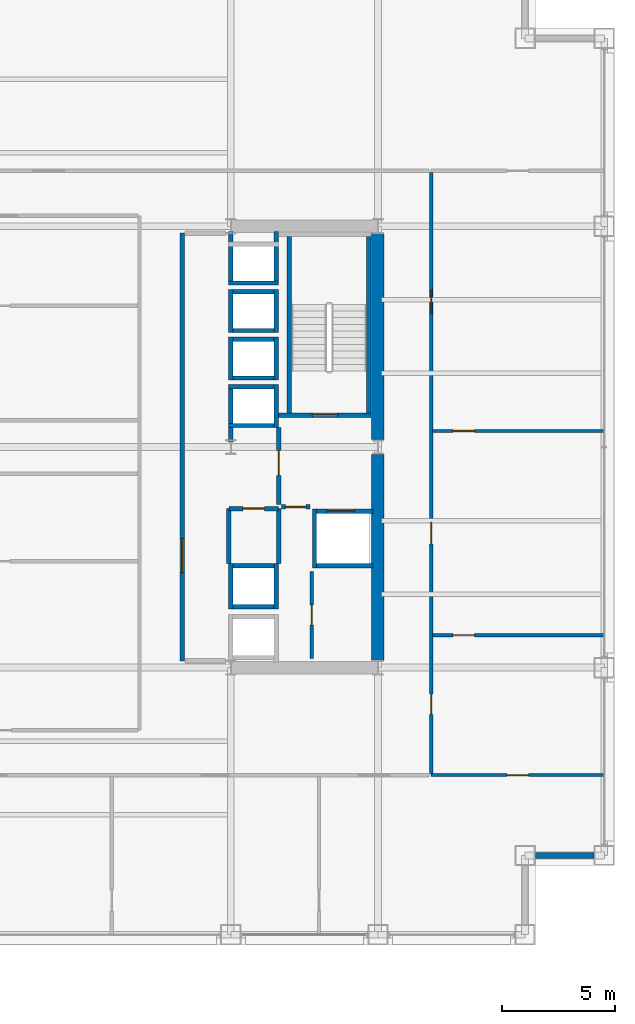
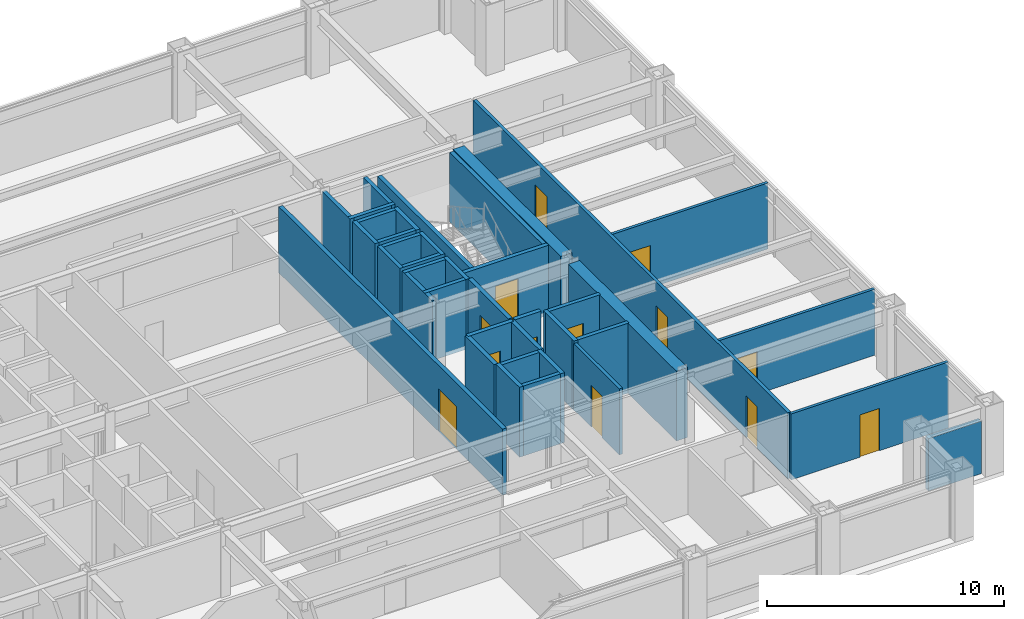
# One storey, part 26 of 29: 39 walls, 13 doors, 13 openings.
"""IFC4 building model written with IfcOpenShell, lengths in metres."""

from ifc_helpers import new_model, si_unit, direction, frame, frame_2d, origin, place, context, subcontext, project, spatial, rectangle, extrude, material, layer, layer_set, type_object, element, fill, save


model = new_model("IFC4")

# Units and contexts
model_context = context("Model", 3, precision=1e-05, world=origin(), true_north=direction((0.0, 1.0)))
body_context = subcontext(model_context, "Body", "Model", "MODEL_VIEW")
ifc_project = project(units=[si_unit("LENGTHUNIT", "METRE"), si_unit("AREAUNIT", "SQUARE_METRE"), si_unit("VOLUMEUNIT", "CUBIC_METRE"), si_unit("PLANEANGLEUNIT", "RADIAN"), si_unit("MASSUNIT", "GRAM", prefix="KILO")], contexts=[model_context])

# Site, building, storey
site_placement = place(None, origin())
site = spatial("IfcSite", under=ifc_project, at=site_placement, CompositionType="ELEMENT")
building_placement = place(site_placement, origin())
building = spatial("IfcBuilding", under=site, at=building_placement, Name="Brelmoor Portico Tower", CompositionType="ELEMENT")
storey_placement = place(building_placement, frame((0.0, 0.0, 60.0)))
storey = spatial("IfcBuildingStorey", under=building, at=storey_placement, Name="L15", CompositionType="ELEMENT", Elevation=60.0)

# Walls
ifc_material_1 = material(Name="Concrete C60", Category="concrete")
ifc_layer_1 = layer(ifc_material_1, 0.550048828125)
ifc_layer_set_1 = layer_set([ifc_layer_1], Name="Concrete C60")
wall_type_1 = type_object("IfcWallType", Name="WL-CORE-550", PredefinedType="SHEAR", material=ifc_layer_set_1)
for number, where, z_axis, x_axis, name in (
    (1, (14.550048828125, -9.425048828125, -0.199951171875), (0.0, 0.0, 1.0), (0.0, 1.0, 0.0), "L15 EC Outer South Shear Wall"),
    (2, (14.550048828125, 0.324951171875, -0.199951171875), (0.0, 0.0, 1.0), (0.0, 1.0, 0.0), "L15 EC Outer North Shear Wall"),
):
    element("IfcWall", number, at=place(storey_placement, frame(where, z_axis=z_axis, x_axis=x_axis)), inside=storey, type_object=wall_type_1, Name=name, PredefinedType="SHEAR", context=body_context, shape_type="SweptSolid", body=[
        extrude(rectangle(XDim=9.10009765625, YDim=0.550048828125, at=frame_2d((4.550048828125, 0.0))), origin(), (0.0, 0.0, 1.0), 3.599853515625),
    ])
ifc_material_2 = material(Name="Precast Concrete C40 Insulated Facade Wall", Category="concrete")
ifc_layer_2 = layer(ifc_material_2, 0.25)
ifc_layer_set_2 = layer_set([ifc_layer_2], Name="Precast Concrete C40 Insulated Facade Wall")
wall_type_2 = type_object("IfcWallType", Name="WL-EXT-250", PredefinedType="STANDARD", material=ifc_layer_set_2)
wall_1_placement = place(storey_placement, frame((21.510009765625, -18.050048828125, 0.0), z_axis=(0.0, 0.0, 1.0), x_axis=(1.0, 0.0, 0.0)))
element("IfcWall", 3, at=wall_1_placement, inside=storey, type_object=wall_type_2, Name="L15 Corner Notch Facade Wall NSEH1", PredefinedType="STANDARD", context=body_context, shape_type="SweptSolid", body=[
    extrude(rectangle(XDim=2.580078125, YDim=0.25, at=frame_2d((1.2900390625, 0.0))), origin(), (0.0, 0.0, 1.0), 2.699951171875),
])

# Wall, opening, door
ifc_material_3 = material(Name="Insulated Stud Suite Partition", Category="gypsum")
ifc_layer_3 = layer(ifc_material_3, 0.139892578125)
ifc_layer_set_3 = layer_set([ifc_layer_3], Name="Insulated Stud Suite Partition")
wall_type_3 = type_object("IfcWallType", Name="WL-PART-140", PredefinedType="PARTITIONING", material=ifc_layer_set_3)
wall_2_placement = place(storey_placement, frame((16.89990234375, -14.5, 0.0), z_axis=(0.0, 0.0, 1.0), x_axis=(1.0, 0.0, 0.0)))
wall_2 = element("IfcWall", 4, at=wall_2_placement, inside=storey, type_object=wall_type_3, Name="L15 South Outer Closure ER", PredefinedType="PARTITIONING", context=body_context, shape_type="SweptSolid", body=[
    extrude(rectangle(XDim=7.66015625, YDim=0.139892578125, at=frame_2d((3.830078125, 0.0))), origin(), (0.0, 0.0, 1.0), 3.39990234375),
])
opening_1_placement = place(wall_2_placement, frame((3.35009765625, 0.0, 0.0)))
opening_1 = element("IfcOpeningElement", 5, at=opening_1_placement, cuts=wall_2, Name="Opening D-IN2", PredefinedType="OPENING", context=body_context, shape_type="SweptSolid", body=[
    extrude(rectangle(XDim=0.9599609375, YDim=2.179931640625, at=frame_2d((0.47998046875, 1.08984375))), frame((0.0, 0.079833984375, 0.0), z_axis=(0.0, -1.0, 0.0), x_axis=(1.0, 0.0, 0.0)), (0.0, 0.0, 1.0), 0.159912109375),
])
ifc_material_4 = material(Name="Lacquered Timber Suite Door", Category="wood")
door_type_1 = type_object("IfcDoorType", Name="DR-INT-950", OperationType="NOTDEFINED", PredefinedType="DOOR", material=ifc_material_4)
door_1_placement = place(opening_1_placement, origin())
door_1 = element("IfcDoor", 6, at=door_1_placement, inside=storey, type_object=door_type_1, Name="D-0689 L15 ER South Corner Suite Door", OperationType="SINGLE_SWING_RIGHT", OverallHeight=2.179931640625, OverallWidth=0.9599609375, PredefinedType="DOOR", context=body_context, shape_type="SweptSolid", body=[
    extrude(rectangle(XDim=0.9599609375, YDim=2.179931640625, at=frame_2d((0.47998046875, 1.08984375))), frame((0.0, 0.02490234375, 0.0), z_axis=(0.0, -1.0, 0.0), x_axis=(1.0, 0.0, 0.0)), (0.0, 0.0, 1.0), 0.050048828125),
])
fill(opening_1, door_1)

wall_3_placement = place(storey_placement, frame((16.9599609375, -8.31591796875, 0.0), z_axis=(0.0, 0.0, 1.0), x_axis=(1.0, 0.0, 0.0)))
wall_3 = element("IfcWall", 7, at=wall_3_placement, inside=storey, type_object=wall_type_3, Name="L15 E Wing Partition 1", PredefinedType="PARTITIONING", context=body_context, shape_type="SweptSolid", body=[
    extrude(rectangle(XDim=7.60009765625, YDim=0.139892578125, at=frame_2d((3.800048828125, 0.0))), origin(), (0.0, 0.0, 1.0), 3.39990234375),
])
opening_2_placement = place(wall_3_placement, frame((0.89990234375, 0.0, 0.0)))
opening_2 = element("IfcOpeningElement", 8, at=opening_2_placement, cuts=wall_3, Name="Opening D-IN2", PredefinedType="OPENING", context=body_context, shape_type="SweptSolid", body=[
    extrude(rectangle(XDim=0.9599609375, YDim=2.179931640625, at=frame_2d((0.47998046875, 1.08984375))), frame((0.0, 0.079833984375, 0.0), z_axis=(0.0, -1.0, 0.0), x_axis=(1.0, 0.0, 0.0)), (0.0, 0.0, 1.0), 0.159912109375),
])
door_2_placement = place(opening_2_placement, origin())
door_2 = element("IfcDoor", 9, at=door_2_placement, inside=storey, type_object=door_type_1, Name="D-0696 L15 E Wing Suite Connecting Door 1", OperationType="SINGLE_SWING_RIGHT", OverallHeight=2.179931640625, OverallWidth=0.9599609375, PredefinedType="DOOR", context=body_context, shape_type="SweptSolid", body=[
    extrude(rectangle(XDim=0.9599609375, YDim=2.179931640625, at=frame_2d((0.47998046875, 1.08984375))), frame((0.0, 0.02490234375, 0.0), z_axis=(0.0, -1.0, 0.0), x_axis=(1.0, 0.0, 0.0)), (0.0, 0.0, 1.0), 0.050048828125),
])
fill(opening_2, door_2)

wall_4_placement = place(storey_placement, frame((16.9599609375, 0.707763671875, 0.0), z_axis=(0.0, 0.0, 1.0), x_axis=(1.0, 0.0, 0.0)))
wall_4 = element("IfcWall", 10, at=wall_4_placement, inside=storey, type_object=wall_type_3, Name="L15 E Wing Partition 2", PredefinedType="PARTITIONING", context=body_context, shape_type="SweptSolid", body=[
    extrude(rectangle(XDim=7.60009765625, YDim=0.139892578125, at=frame_2d((3.800048828125, 0.0))), origin(), (0.0, 0.0, 1.0), 3.39990234375),
])
opening_3_placement = place(wall_4_placement, frame((0.89990234375, 0.0, 0.0)))
opening_3 = element("IfcOpeningElement", 11, at=opening_3_placement, cuts=wall_4, Name="Opening D-IN2", PredefinedType="OPENING", context=body_context, shape_type="SweptSolid", body=[
    extrude(rectangle(XDim=0.9599609375, YDim=2.179931640625, at=frame_2d((0.47998046875, 1.08984375))), frame((0.0, 0.079833984375, 0.0), z_axis=(0.0, -1.0, 0.0), x_axis=(1.0, 0.0, 0.0)), (0.0, 0.0, 1.0), 0.159912109375),
])
door_3_placement = place(opening_3_placement, origin())
door_3 = element("IfcDoor", 12, at=door_3_placement, inside=storey, type_object=door_type_1, Name="D-0697 L15 E Wing Suite Connecting Door 2", OperationType="SINGLE_SWING_LEFT", OverallHeight=2.179931640625, OverallWidth=0.9599609375, PredefinedType="DOOR", context=body_context, shape_type="SweptSolid", body=[
    extrude(rectangle(XDim=0.9599609375, YDim=2.179931640625, at=frame_2d((0.47998046875, 1.08984375))), frame((0.0, 0.02490234375, 0.0), z_axis=(0.0, -1.0, 0.0), x_axis=(1.0, 0.0, 0.0)), (0.0, 0.0, 1.0), 0.050048828125),
])
fill(opening_3, door_3)

ifc_material_5 = material(Name="Twin-Frame Acoustic Partition", Category="gypsum")
ifc_layer_4 = layer(ifc_material_5, 0.159912109375)
ifc_layer_set_4 = layer_set([ifc_layer_4], Name="Twin-Frame Acoustic Partition")
wall_type_4 = type_object("IfcWallType", Name="WL-PART-160", PredefinedType="PARTITIONING", material=ifc_layer_set_4)
wall_5_placement = place(storey_placement, frame((11.6201171875, -9.35009765625, 0.0), z_axis=(0.0, 0.0, 1.0), x_axis=(0.0, 1.0, 0.0)))
wall_5 = element("IfcWall", 13, at=wall_5_placement, inside=storey, type_object=wall_type_4, Name="L15 E Core Service Front Wall", PredefinedType="PARTITIONING", context=body_context, shape_type="SweptSolid", body=[
    extrude(rectangle(XDim=3.85009765625, YDim=0.159912109375, at=frame_2d((1.925048828125, 0.0))), origin(), (0.0, 0.0, 1.0), 3.39990234375),
])
opening_4_placement = place(wall_5_placement, frame((1.47509765625, 0.0, 0.0)))
opening_4 = element("IfcOpeningElement", 14, at=opening_4_placement, cuts=wall_5, Name="Opening D-IN1", PredefinedType="OPENING", context=body_context, shape_type="SweptSolid", body=[
    extrude(rectangle(XDim=0.89990234375, YDim=2.14990234375, at=frame_2d((0.449951171875, 1.074951171875))), frame((0.0, 0.08984375, 0.0), z_axis=(0.0, -1.0, 0.0), x_axis=(1.0, 0.0, 0.0)), (0.0, 0.0, 1.0), 0.179931640625),
])
door_type_2 = type_object("IfcDoorType", Name="DR-INT-900", OperationType="NOTDEFINED", PredefinedType="DOOR", material=ifc_material_4)
door_4_placement = place(opening_4_placement, origin())
door_4 = element("IfcDoor", 15, at=door_4_placement, inside=storey, type_object=door_type_2, Name="D-0667 L15 E Male WC Door", OperationType="SINGLE_SWING_RIGHT", OverallHeight=2.14990234375, OverallWidth=0.89990234375, PredefinedType="DOOR", context=body_context, shape_type="SweptSolid", body=[
    extrude(rectangle(XDim=0.89990234375, YDim=2.14990234375, at=frame_2d((0.449951171875, 1.074951171875))), frame((0.0, 0.02490234375, 0.0), z_axis=(0.0, -1.0, 0.0), x_axis=(1.0, 0.0, 0.0)), (0.0, 0.0, 1.0), 0.050048828125),
])
fill(opening_4, door_4)

# Wall, openings, doors
wall_6_placement = place(storey_placement, frame((16.89990234375, -14.419921875, 0.0), z_axis=(0.0, 0.0, 1.0), x_axis=(0.0, 1.0, 0.0)))
wall_6 = element("IfcWall", 16, at=wall_6_placement, inside=storey, type_object=wall_type_4, Name="L15 E Wing Corridor Wall", PredefinedType="PARTITIONING", context=body_context, shape_type="SweptSolid", body=[
    extrude(rectangle(XDim=26.5400390625, YDim=0.159912109375, at=frame_2d((13.27001953125, 0.0))), origin(), (0.0, 0.0, 1.0), 3.39990234375),
])
opening_5_placement = place(wall_6_placement, frame((2.60205078125, 0.0, 0.0)))
opening_5 = element("IfcOpeningElement", 17, at=opening_5_placement, cuts=wall_6, Name="Opening D-IN1", PredefinedType="OPENING", context=body_context, shape_type="SweptSolid", body=[
    extrude(rectangle(XDim=0.89990234375, YDim=2.14990234375, at=frame_2d((0.449951171875, 1.074951171875))), frame((0.0, 0.08984375, 0.0), z_axis=(0.0, -1.0, 0.0), x_axis=(1.0, 0.0, 0.0)), (0.0, 0.0, 1.0), 0.179931640625),
])
opening_6_placement = place(wall_6_placement, frame((10.135986328125, 0.0, 0.0)))
opening_6 = element("IfcOpeningElement", 18, at=opening_6_placement, cuts=wall_6, Name="Opening D-IN2", PredefinedType="OPENING", context=body_context, shape_type="SweptSolid", body=[
    extrude(rectangle(XDim=0.9599609375, YDim=2.179931640625, at=frame_2d((0.47998046875, 1.08984375))), frame((0.0, 0.08984375, 0.0), z_axis=(0.0, -1.0, 0.0), x_axis=(1.0, 0.0, 0.0)), (0.0, 0.0, 1.0), 0.179931640625),
])
opening_7_placement = place(wall_6_placement, frame((20.323974609375, 0.0, 0.0)))
opening_7 = element("IfcOpeningElement", 19, at=opening_7_placement, cuts=wall_6, Name="Opening D-OF1", PredefinedType="OPENING", context=body_context, shape_type="SweptSolid", body=[
    extrude(rectangle(XDim=1.02001953125, YDim=2.199951171875, at=frame_2d((0.510009765625, 1.10009765625))), frame((0.0, 0.08984375, 0.0), z_axis=(0.0, -1.0, 0.0), x_axis=(1.0, 0.0, 0.0)), (0.0, 0.0, 1.0), 0.179931640625),
])
door_5_placement = place(opening_5_placement, origin())
door_5 = element("IfcDoor", 20, at=door_5_placement, inside=storey, type_object=door_type_2, Name="D-0693 L15 E First-Aid Consultation Room 1 Door", OperationType="SINGLE_SWING_RIGHT", OverallHeight=2.14990234375, OverallWidth=0.89990234375, PredefinedType="DOOR", context=body_context, shape_type="SweptSolid", body=[
    extrude(rectangle(XDim=0.89990234375, YDim=2.14990234375, at=frame_2d((0.449951171875, 1.074951171875))), frame((0.0, 0.02490234375, 0.0), z_axis=(0.0, -1.0, 0.0), x_axis=(1.0, 0.0, 0.0)), (0.0, 0.0, 1.0), 0.050048828125),
])
fill(opening_5, door_5)
door_6_placement = place(opening_6_placement, origin())
door_6 = element("IfcDoor", 21, at=door_6_placement, inside=storey, type_object=door_type_1, Name="D-0694 L15 E Technical Archive Store 2 Door", OperationType="SINGLE_SWING_LEFT", OverallHeight=2.179931640625, OverallWidth=0.9599609375, PredefinedType="DOOR", context=body_context, shape_type="SweptSolid", body=[
    extrude(rectangle(XDim=0.9599609375, YDim=2.179931640625, at=frame_2d((0.47998046875, 1.08984375))), frame((0.0, 0.02490234375, 0.0), z_axis=(0.0, -1.0, 0.0), x_axis=(1.0, 0.0, 0.0)), (0.0, 0.0, 1.0), 0.050048828125),
])
fill(opening_6, door_6)
ifc_material_6 = material(Name="Hardwood Acoustic Veneer Door", Category="wood")
door_type_3 = type_object("IfcDoorType", Name="DR-OFFICE-1000", OperationType="NOTDEFINED", PredefinedType="DOOR", material=ifc_material_6)
door_7_placement = place(opening_7_placement, origin())
door_7 = element("IfcDoor", 22, at=door_7_placement, inside=storey, type_object=door_type_3, Name="D-0695 L15 E Open-Plan Office 3 Door", OperationType="SINGLE_SWING_RIGHT", OverallHeight=2.199951171875, OverallWidth=1.02001953125, PredefinedType="DOOR", context=body_context, shape_type="SweptSolid", body=[
    extrude(rectangle(XDim=1.02001953125, YDim=2.199951171875, at=frame_2d((0.510009765625, 1.10009765625))), frame((0.0, 0.02490234375, 0.0), z_axis=(0.0, -1.0, 0.0), x_axis=(1.0, 0.0, 0.0)), (0.0, 0.0, 1.0), 0.050048828125),
])
fill(opening_7, door_7)

# Wall, opening, door
ifc_material_7 = material(Name="Double-Stud Gypsum Fire Partition", Category="gypsum")
ifc_layer_5 = layer(ifc_material_7, 0.199951171875)
ifc_layer_set_5 = layer_set([ifc_layer_5], Name="Double-Stud Gypsum Fire Partition")
wall_type_5 = type_object("IfcWallType", Name="WL-PART-200", PredefinedType="PARTITIONING", material=ifc_layer_set_5)
wall_7_placement = place(storey_placement, frame((5.89990234375, -9.449951171875, 0.0), z_axis=(0.0, 0.0, 1.0), x_axis=(0.0, 1.0, 0.0)))
wall_7 = element("IfcWall", 23, at=wall_7_placement, inside=storey, type_object=wall_type_5, Name="L15 E Core Lobby Compartment Wall", PredefinedType="PARTITIONING", context=body_context, shape_type="SweptSolid", body=[
    extrude(rectangle(XDim=18.89990234375, YDim=0.199951171875, at=frame_2d((9.449951171875, 0.0))), origin(), (0.0, 0.0, 1.0), 3.39990234375),
])
opening_8_placement = place(wall_7_placement, frame((3.89990234375, 0.0, 0.0)))
opening_8 = element("IfcOpeningElement", 24, at=opening_8_placement, cuts=wall_7, Name="Opening D-LB1", PredefinedType="OPENING", context=body_context, shape_type="SweptSolid", body=[
    extrude(rectangle(XDim=1.5, YDim=2.199951171875, at=frame_2d((0.75, 1.10009765625))), frame((0.0, 0.10986328125, 0.0), z_axis=(0.0, -1.0, 0.0), x_axis=(1.0, 0.0, 0.0)), (0.0, 0.0, 1.0), 0.219970703125),
])
ifc_material_8 = material(Name="Double-Leaf Glazed Steel Fire Door", Category="steel")
door_type_4 = type_object("IfcDoorType", Name="DR-LOBBY-1500", OperationType="NOTDEFINED", PredefinedType="DOOR", material=ifc_material_8)
door_8_placement = place(opening_8_placement, origin())
door_8 = element("IfcDoor", 25, at=door_8_placement, inside=storey, type_object=door_type_4, Name="D-0675 L15 E Lift Lobby Main Door", OperationType="DOUBLE_DOOR_SINGLE_SWING", OverallHeight=2.199951171875, OverallWidth=1.5, PredefinedType="DOOR", context=body_context, shape_type="SweptSolid", body=[
    extrude(rectangle(XDim=1.5, YDim=2.199951171875, at=frame_2d((0.75, 1.10009765625))), frame((0.0, 0.02490234375, 0.0), z_axis=(0.0, -1.0, 0.0), x_axis=(1.0, 0.0, 0.0)), (0.0, 0.0, 1.0), 0.050048828125),
])
fill(opening_8, door_8)

wall_8_placement = place(storey_placement, frame((10.159912109375, -2.550048828125, 0.0), z_axis=(0.0, 0.0, 1.0), x_axis=(0.0, 1.0, 0.0)))
wall_8 = element("IfcWall", 26, at=wall_8_placement, inside=storey, type_object=wall_type_5, Name="L15 E Firefighting Lobby Wall", PredefinedType="PARTITIONING", context=body_context, shape_type="SweptSolid", body=[
    extrude(rectangle(XDim=3.400146484375, YDim=0.199951171875, at=frame_2d((1.7001953125, 0.0))), origin(), (0.0, 0.0, 1.0), 3.39990234375),
])
opening_9_placement = place(wall_8_placement, frame((1.300048828125, 0.0, 0.0)))
opening_9 = element("IfcOpeningElement", 27, at=opening_9_placement, cuts=wall_8, Name="Opening D-FR1", PredefinedType="OPENING", context=body_context, shape_type="SweptSolid", body=[
    extrude(rectangle(XDim=1.10009765625, YDim=2.14990234375, at=frame_2d((0.550048828125, 1.074951171875))), frame((0.0, 0.10986328125, 0.0), z_axis=(0.0, -1.0, 0.0), x_axis=(1.0, 0.0, 0.0)), (0.0, 0.0, 1.0), 0.219970703125),
])
ifc_material_9 = material(Name="Painted Galvanised Steel Fire Door", Category="steel")
door_type_5 = type_object("IfcDoorType", Name="DR-FIRE-1100", OperationType="NOTDEFINED", PredefinedType="DOOR", material=ifc_material_9)
door_9_placement = place(opening_9_placement, origin())
door_9 = element("IfcDoor", 28, at=door_9_placement, inside=storey, type_object=door_type_5, Name="D-0673 L15 E Firefighting Lobby Door", OperationType="SINGLE_SWING_LEFT", OverallHeight=2.14990234375, OverallWidth=1.10009765625, PredefinedType="DOOR", context=body_context, shape_type="SweptSolid", body=[
    extrude(rectangle(XDim=1.10009765625, YDim=2.14990234375, at=frame_2d((0.550048828125, 1.074951171875))), frame((0.0, 0.02490234375, 0.0), z_axis=(0.0, -1.0, 0.0), x_axis=(1.0, 0.0, 0.0)), (0.0, 0.0, 1.0), 0.050048828125),
])
fill(opening_9, door_9)

wall_9_placement = place(storey_placement, frame((10.280029296875, -2.64990234375, 0.0), z_axis=(0.0, 0.0, 1.0), x_axis=(1.0, 0.0, 0.0)))
wall_9 = element("IfcWall", 29, at=wall_9_placement, inside=storey, type_object=wall_type_5, Name="L15 E Firefighting Lobby South Wall", PredefinedType="PARTITIONING", context=body_context, shape_type="SweptSolid", body=[
    extrude(rectangle(XDim=1.27001953125, YDim=0.199951171875, at=frame_2d((0.635009765625, 0.0))), origin(), (0.0, 0.0, 1.0), 3.39990234375),
])
opening_10_placement = place(wall_9_placement, frame((0.18505859375, 0.0, 0.0)))
opening_10 = element("IfcOpeningElement", 30, at=opening_10_placement, cuts=wall_9, Name="Opening D-IN1", PredefinedType="OPENING", context=body_context, shape_type="SweptSolid", body=[
    extrude(rectangle(XDim=0.89990234375, YDim=2.14990234375, at=frame_2d((0.449951171875, 1.074951171875))), frame((0.0, 0.10986328125, 0.0), z_axis=(0.0, -1.0, 0.0), x_axis=(1.0, 0.0, 0.0)), (0.0, 0.0, 1.0), 0.219970703125),
])
door_10_placement = place(opening_10_placement, origin())
door_10 = element("IfcDoor", 31, at=door_10_placement, inside=storey, type_object=door_type_2, Name="D-0668 L15 E Core Service Vestibule Door", OperationType="SINGLE_SWING_RIGHT", OverallHeight=2.14990234375, OverallWidth=0.89990234375, PredefinedType="DOOR", context=body_context, shape_type="SweptSolid", body=[
    extrude(rectangle(XDim=0.89990234375, YDim=2.14990234375, at=frame_2d((0.449951171875, 1.074951171875))), frame((0.0, 0.02490234375, 0.0), z_axis=(0.0, -1.0, 0.0), x_axis=(1.0, 0.0, 0.0)), (0.0, 0.0, 1.0), 0.050048828125),
])
fill(opening_10, door_10)

wall_10_placement = place(storey_placement, frame((7.9599609375, -2.719970703125, 0.0), z_axis=(0.0, 0.0, 1.0), x_axis=(1.0, 0.0, 0.0)))
wall_10 = element("IfcWall", 32, at=wall_10_placement, inside=storey, type_object=wall_type_5, Name="L15 E Electrical Switchgear Closet Wall", PredefinedType="PARTITIONING", context=body_context, shape_type="SweptSolid", body=[
    extrude(rectangle(XDim=2.199951171875, YDim=0.199951171875, at=frame_2d((1.10009765625, 0.0))), origin(), (0.0, 0.0, 1.0), 3.39990234375),
])
opening_11_placement = place(wall_10_placement, frame((0.6201171875, 0.0, 0.0)))
opening_11 = element("IfcOpeningElement", 33, at=opening_11_placement, cuts=wall_10, Name="Opening D-FR4", PredefinedType="OPENING", context=body_context, shape_type="SweptSolid", body=[
    extrude(rectangle(XDim=0.949951171875, YDim=2.10009765625, at=frame_2d((0.47509765625, 1.050048828125))), frame((0.0, 0.10986328125, 0.0), z_axis=(0.0, -1.0, 0.0), x_axis=(1.0, 0.0, 0.0)), (0.0, 0.0, 1.0), 0.219970703125),
])
ifc_material_10 = material(Name="Painted Galvanised Steel Riser Door", Category="steel")
door_type_6 = type_object("IfcDoorType", Name="DR-FIRE-950", OperationType="NOTDEFINED", PredefinedType="DOOR", material=ifc_material_10)
door_11_placement = place(opening_11_placement, origin())
door_11 = element("IfcDoor", 34, at=door_11_placement, inside=storey, type_object=door_type_6, Name="D-0671 L15 E Electrical Switchgear Closet Door", OperationType="SINGLE_SWING_LEFT", OverallHeight=2.10009765625, OverallWidth=0.949951171875, PredefinedType="DOOR", context=body_context, shape_type="SweptSolid", body=[
    extrude(rectangle(XDim=0.949951171875, YDim=2.10009765625, at=frame_2d((0.47509765625, 1.050048828125))), frame((0.0, 0.02490234375, 0.0), z_axis=(0.0, -1.0, 0.0), x_axis=(1.0, 0.0, 0.0)), (0.0, 0.0, 1.0), 0.050048828125),
])
fill(opening_11, door_11)

# Walls
for number, where, z_axis, x_axis, name in (
    (35, (7.9599609375, -5.159912109375, 0.0), (0.0, 0.0, 1.0), (0.0, 1.0, 0.0), "L15 E Electrical Switchgear Closet Inner Wall"),
    (36, (10.159912109375, -5.159912109375, 0.0), (0.0, 0.0, 1.0), (0.0, 1.0, 0.0), "L15 E Electrical Switchgear Closet Outer Wall"),
):
    element("IfcWall", number, at=place(storey_placement, frame(where, z_axis=z_axis, x_axis=x_axis)), inside=storey, type_object=wall_type_5, Name=name, PredefinedType="PARTITIONING", context=body_context, shape_type="SweptSolid", body=[
        extrude(rectangle(XDim=2.43994140625, YDim=0.199951171875, at=frame_2d((1.219970703125, 0.0))), origin(), (0.0, 0.0, 1.0), 3.39990234375),
    ])
ifc_material_11 = material(Name="Precast Concrete C40", Category="concrete")
ifc_layer_6 = layer(ifc_material_11, 0.18994140625)
ifc_layer_set_6 = layer_set([ifc_layer_6], Name="Precast Concrete C40")
wall_type_6 = type_object("IfcWallType", Name="WL-SHAFT-180", PredefinedType="SOLIDWALL", material=ifc_layer_set_6)
wall_11_placement = place(storey_placement, frame((8.044921875, 0.2099609375, -0.199951171875), z_axis=(0.0, 0.0, 1.0), x_axis=(0.0, 1.0, 0.0)))
element("IfcWall", 37, at=wall_11_placement, inside=storey, type_object=wall_type_6, Name="L15 Lift PM1 Hoistway Front Wall", PredefinedType="SOLIDWALL", context=body_context, shape_type="SweptSolid", body=[
    extrude(rectangle(XDim=2.5400390625, YDim=0.18994140625, at=frame_2d((1.27001953125, 0.0))), origin(), (0.0, 0.0, 1.0), 3.599853515625),
])
wall_12_placement = place(storey_placement, frame((10.054931640625, 0.85009765625, -0.199951171875), z_axis=(0.0, 0.0, 1.0), x_axis=(0.0, 1.0, 0.0)))
element("IfcWall", 38, at=wall_12_placement, inside=storey, type_object=wall_type_6, Name="L15 Lift PM1 Hoistway Back Wall", PredefinedType="SOLIDWALL", context=body_context, shape_type="SweptSolid", body=[
    extrude(rectangle(XDim=1.89990234375, YDim=0.18994140625, at=frame_2d((0.949951171875, 0.0))), origin(), (0.0, 0.0, 1.0), 3.599853515625),
])
for number, where, z_axis, x_axis, name in (
    (39, (7.949951171875, 2.655029296875, -0.199951171875), (0.0, 0.0, 1.0), (1.0, 0.0, 0.0), "L15 Lift PM1 Hoistway North Wall"),
    (40, (7.949951171875, 0.945068359375, -0.199951171875), (0.0, 0.0, 1.0), (1.0, 0.0, 0.0), "L15 Lift PM1 Hoistway South Wall"),
):
    element("IfcWall", number, at=place(storey_placement, frame(where, z_axis=z_axis, x_axis=x_axis)), inside=storey, type_object=wall_type_6, Name=name, PredefinedType="SOLIDWALL", context=body_context, shape_type="SweptSolid", body=[
        extrude(rectangle(XDim=2.199951171875, YDim=0.18994140625, at=frame_2d((1.10009765625, 0.0))), origin(), (0.0, 0.0, 1.0), 3.599853515625),
    ])
for number, where, z_axis, x_axis, name in (
    (41, (8.044921875, 2.949951171875, -0.199951171875), (0.0, 0.0, 1.0), (0.0, 1.0, 0.0), "L15 Lift PM2 Hoistway Front Wall"),
    (42, (10.054931640625, 2.949951171875, -0.199951171875), (0.0, 0.0, 1.0), (0.0, 1.0, 0.0), "L15 Lift PM2 Hoistway Back Wall"),
):
    element("IfcWall", number, at=place(storey_placement, frame(where, z_axis=z_axis, x_axis=x_axis)), inside=storey, type_object=wall_type_6, Name=name, PredefinedType="SOLIDWALL", context=body_context, shape_type="SweptSolid", body=[
        extrude(rectangle(XDim=1.900146484375, YDim=0.18994140625, at=frame_2d((0.9501953125, 0.0))), origin(), (0.0, 0.0, 1.0), 3.599853515625),
    ])
for number, where, z_axis, x_axis, name in (
    (43, (7.949951171875, 4.7548828125, -0.199951171875), (0.0, 0.0, 1.0), (1.0, 0.0, 0.0), "L15 Lift PM2 Hoistway North Wall"),
    (44, (7.949951171875, 3.044921875, -0.199951171875), (0.0, 0.0, 1.0), (1.0, 0.0, 0.0), "L15 Lift PM2 Hoistway South Wall"),
):
    element("IfcWall", number, at=place(storey_placement, frame(where, z_axis=z_axis, x_axis=x_axis)), inside=storey, type_object=wall_type_6, Name=name, PredefinedType="SOLIDWALL", context=body_context, shape_type="SweptSolid", body=[
        extrude(rectangle(XDim=2.199951171875, YDim=0.18994140625, at=frame_2d((1.10009765625, 0.0))), origin(), (0.0, 0.0, 1.0), 3.599853515625),
    ])
for number, where, z_axis, x_axis, name in (
    (45, (8.044921875, 5.050048828125, -0.199951171875), (0.0, 0.0, 1.0), (0.0, 1.0, 0.0), "L15 Lift PM3 Hoistway Front Wall"),
    (46, (10.054931640625, 5.050048828125, -0.199951171875), (0.0, 0.0, 1.0), (0.0, 1.0, 0.0), "L15 Lift PM3 Hoistway Back Wall"),
):
    element("IfcWall", number, at=place(storey_placement, frame(where, z_axis=z_axis, x_axis=x_axis)), inside=storey, type_object=wall_type_6, Name=name, PredefinedType="SOLIDWALL", context=body_context, shape_type="SweptSolid", body=[
        extrude(rectangle(XDim=1.89990234375, YDim=0.18994140625, at=frame_2d((0.949951171875, 0.0))), origin(), (0.0, 0.0, 1.0), 3.599853515625),
    ])
for number, where, z_axis, x_axis, name in (
    (47, (7.949951171875, 6.85498046875, -0.199951171875), (0.0, 0.0, 1.0), (1.0, 0.0, 0.0), "L15 Lift PM3 Hoistway North Wall"),
    (48, (7.949951171875, 5.14501953125, -0.199951171875), (0.0, 0.0, 1.0), (1.0, 0.0, 0.0), "L15 Lift PM3 Hoistway South Wall"),
):
    element("IfcWall", number, at=place(storey_placement, frame(where, z_axis=z_axis, x_axis=x_axis)), inside=storey, type_object=wall_type_6, Name=name, PredefinedType="SOLIDWALL", context=body_context, shape_type="SweptSolid", body=[
        extrude(rectangle(XDim=2.199951171875, YDim=0.18994140625, at=frame_2d((1.10009765625, 0.0))), origin(), (0.0, 0.0, 1.0), 3.599853515625),
    ])
for number, where, z_axis, x_axis, name in (
    (49, (8.044921875, 7.14990234375, -0.199951171875), (0.0, 0.0, 1.0), (0.0, 1.0, 0.0), "L15 Lift PM4 Hoistway Front Wall"),
    (50, (10.054931640625, 7.14990234375, -0.199951171875), (0.0, 0.0, 1.0), (0.0, 1.0, 0.0), "L15 Lift PM4 Hoistway Back Wall"),
):
    element("IfcWall", number, at=place(storey_placement, frame(where, z_axis=z_axis, x_axis=x_axis)), inside=storey, type_object=wall_type_6, Name=name, PredefinedType="SOLIDWALL", context=body_context, shape_type="SweptSolid", body=[
        extrude(rectangle(XDim=2.3701171875, YDim=0.18994140625, at=frame_2d((1.18505859375, 0.0))), origin(), (0.0, 0.0, 1.0), 3.599853515625),
    ])
wall_13_placement = place(storey_placement, frame((7.949951171875, 7.2451171875, -0.199951171875), z_axis=(0.0, 0.0, 1.0), x_axis=(1.0, 0.0, 0.0)))
element("IfcWall", 51, at=wall_13_placement, inside=storey, type_object=wall_type_6, Name="L15 Lift PM4 Hoistway South Wall", PredefinedType="SOLIDWALL", context=body_context, shape_type="SweptSolid", body=[
    extrude(rectangle(XDim=2.199951171875, YDim=0.18994140625, at=frame_2d((1.10009765625, 0.0))), origin(), (0.0, 0.0, 1.0), 3.599853515625),
])
for number, where, z_axis, x_axis, name in (
    (52, (8.044921875, -7.14990234375, -0.199951171875), (0.0, 0.0, 1.0), (0.0, 1.0, 0.0), "L15 Lift PH4 Hoistway Front Wall"),
    (53, (10.054931640625, -7.14990234375, -0.199951171875), (0.0, 0.0, 1.0), (0.0, 1.0, 0.0), "L15 Lift PH4 Hoistway Back Wall"),
):
    element("IfcWall", number, at=place(storey_placement, frame(where, z_axis=z_axis, x_axis=x_axis)), inside=storey, type_object=wall_type_6, Name=name, PredefinedType="SOLIDWALL", context=body_context, shape_type="SweptSolid", body=[
        extrude(rectangle(XDim=2.0, YDim=0.18994140625, at=frame_2d((1.0, 0.0))), origin(), (0.0, 0.0, 1.0), 3.599853515625),
    ])
for number, where, z_axis, x_axis, name in (
    (54, (7.949951171875, -5.2451171875, -0.199951171875), (0.0, 0.0, 1.0), (1.0, 0.0, 0.0), "L15 Lift PH4 Hoistway North Wall"),
    (55, (7.949951171875, -7.054931640625, -0.199951171875), (0.0, 0.0, 1.0), (1.0, 0.0, 0.0), "L15 Lift PH4 Hoistway South Wall"),
):
    element("IfcWall", number, at=place(storey_placement, frame(where, z_axis=z_axis, x_axis=x_axis)), inside=storey, type_object=wall_type_6, Name=name, PredefinedType="SOLIDWALL", context=body_context, shape_type="SweptSolid", body=[
        extrude(rectangle(XDim=2.199951171875, YDim=0.18994140625, at=frame_2d((1.10009765625, 0.0))), origin(), (0.0, 0.0, 1.0), 3.599853515625),
    ])

# Wall, opening, door
wall_14_placement = place(storey_placement, frame((11.64990234375, -2.844970703125, -0.199951171875), z_axis=(0.0, 0.0, 1.0), x_axis=(1.0, 0.0, 0.0)))
wall_14 = element("IfcWall", 56, at=wall_14_placement, inside=storey, type_object=wall_type_6, Name="L15 Lift FF2 Hoistway Front Wall", PredefinedType="SOLIDWALL", context=body_context, shape_type="SweptSolid", body=[
    extrude(rectangle(XDim=2.68017578125, YDim=0.18994140625, at=frame_2d((1.340087890625, 0.0))), origin(), (0.0, 0.0, 1.0), 3.599853515625),
])
opening_12_placement = place(wall_14_placement, frame((0.64990234375, 0.0, 0.199951171875)))
opening_12 = element("IfcOpeningElement", 57, at=opening_12_placement, cuts=wall_14, Name="Opening LD-02", PredefinedType="OPENING", context=body_context, shape_type="SweptSolid", body=[
    extrude(rectangle(XDim=1.199951171875, YDim=2.199951171875, at=frame_2d((0.60009765625, 1.10009765625))), frame((0.0, 0.10498046875, 0.0), z_axis=(0.0, -1.0, 0.0), x_axis=(1.0, 0.0, 0.0)), (0.0, 0.0, 1.0), 0.2099609375),
])
ifc_material_12 = material(Name="Brushed Stainless Steel Firefighting Lift Door", Category="steel")
door_type_7 = type_object("IfcDoorType", Name="DR-LIFT-1200", OperationType="NOTDEFINED", PredefinedType="DOOR", material=ifc_material_12)
door_12_placement = place(opening_12_placement, origin())
door_12 = element("IfcDoor", 58, at=door_12_placement, inside=storey, type_object=door_type_7, Name="D-0702 L15 Lift FF2 Sliding Landing Door", OperationType="SLIDING_TO_LEFT", OverallHeight=2.199951171875, OverallWidth=1.199951171875, PredefinedType="DOOR", context=body_context, shape_type="SweptSolid", body=[
    extrude(rectangle(XDim=1.199951171875, YDim=2.199951171875, at=frame_2d((0.60009765625, 1.10009765625))), frame((0.0, 0.02490234375, 0.0), z_axis=(0.0, -1.0, 0.0), x_axis=(1.0, 0.0, 0.0)), (0.0, 0.0, 1.0), 0.050048828125),
])
fill(opening_12, door_12)

# Walls
wall_15_placement = place(storey_placement, frame((11.64990234375, -5.2548828125, -0.199951171875), z_axis=(0.0, 0.0, 1.0), x_axis=(1.0, 0.0, 0.0)))
element("IfcWall", 59, at=wall_15_placement, inside=storey, type_object=wall_type_6, Name="L15 Firefighting Lift FF2 South Wall", PredefinedType="SOLIDWALL", context=body_context, shape_type="SweptSolid", body=[
    extrude(rectangle(XDim=2.68017578125, YDim=0.18994140625, at=frame_2d((1.340087890625, 0.0))), origin(), (0.0, 0.0, 1.0), 3.599853515625),
])
wall_16_placement = place(storey_placement, frame((11.7451171875, -5.35009765625, -0.199951171875), z_axis=(0.0, 0.0, 1.0), x_axis=(0.0, 1.0, 0.0)))
element("IfcWall", 60, at=wall_16_placement, inside=storey, type_object=wall_type_6, Name="L15 Firefighting Lift FF2 Inner Wall", PredefinedType="SOLIDWALL", context=body_context, shape_type="SweptSolid", body=[
    extrude(rectangle(XDim=2.60009765625, YDim=0.18994140625, at=frame_2d((1.300048828125, 0.0))), origin(), (0.0, 0.0, 1.0), 3.599853515625),
])
ifc_material_13 = material(Name="Concrete C40", Category="concrete")
ifc_layer_7 = layer(ifc_material_13, 0.199951171875)
ifc_layer_set_7 = layer_set([ifc_layer_7], Name="Concrete C40")
wall_type_7 = type_object("IfcWallType", Name="WL-SHAFT-RC200", PredefinedType="SOLIDWALL", material=ifc_layer_set_7)
wall_17_placement = place(storey_placement, frame((14.14990234375, 1.5, -0.199951171875), z_axis=(0.0, 0.0, 1.0), x_axis=(0.0, 1.0, 0.0)))
element("IfcWall", 61, at=wall_17_placement, inside=storey, type_object=wall_type_7, Name="L15 ST-E Structural Stair Wall Outer", PredefinedType="SOLIDWALL", context=body_context, shape_type="SweptSolid", body=[
    extrude(rectangle(XDim=7.800048828125, YDim=0.199951171875, at=frame_2d((3.89990234375, 0.0))), origin(), (0.0, 0.0, 1.0), 3.599853515625),
])

# Wall, opening, door
wall_18_placement = place(storey_placement, frame((10.14990234375, 1.39990234375, -0.199951171875), z_axis=(0.0, 0.0, 1.0), x_axis=(1.0, 0.0, 0.0)))
wall_18 = element("IfcWall", 62, at=wall_18_placement, inside=storey, type_object=wall_type_7, Name="L15 ST-E Structural Stair Wall S", PredefinedType="SOLIDWALL", context=body_context, shape_type="SweptSolid", body=[
    extrude(rectangle(XDim=4.10009765625, YDim=0.199951171875, at=frame_2d((2.050048828125, 0.0))), origin(), (0.0, 0.0, 1.0), 3.599853515625),
])
opening_13_placement = place(wall_18_placement, frame((1.5, 0.0, 0.199951171875)))
opening_13 = element("IfcOpeningElement", 63, at=opening_13_placement, cuts=wall_18, Name="Opening D-ST1", PredefinedType="OPENING", context=body_context, shape_type="SweptSolid", body=[
    extrude(rectangle(XDim=1.1201171875, YDim=2.179931640625, at=frame_2d((0.56005859375, 1.08984375))), frame((0.0, 0.10986328125, 0.0), z_axis=(0.0, -1.0, 0.0), x_axis=(1.0, 0.0, 0.0)), (0.0, 0.0, 1.0), 0.219970703125),
])
door_type_8 = type_object("IfcDoorType", Name="DR-STAIR-1100", OperationType="NOTDEFINED", PredefinedType="DOOR", material=ifc_material_9)
door_13_placement = place(opening_13_placement, origin())
door_13 = element("IfcDoor", 64, at=door_13_placement, inside=storey, type_object=door_type_8, Name="D-0687 L15 ST-E Protected Exit Stair Door", OperationType="SINGLE_SWING_RIGHT", OverallHeight=2.179931640625, OverallWidth=1.1201171875, PredefinedType="DOOR", context=body_context, shape_type="SweptSolid", body=[
    extrude(rectangle(XDim=1.1201171875, YDim=2.179931640625, at=frame_2d((0.56005859375, 1.08984375))), frame((0.0, 0.02490234375, 0.0), z_axis=(0.0, -1.0, 0.0), x_axis=(1.0, 0.0, 0.0)), (0.0, 0.0, 1.0), 0.050048828125),
])
fill(opening_13, door_13)

# Wall
wall_19_placement = place(storey_placement, frame((10.6298828125, 1.5, -0.199951171875), z_axis=(0.0, 0.0, 1.0), x_axis=(0.0, 1.0, 0.0)))
element("IfcWall", 65, at=wall_19_placement, inside=storey, type_object=wall_type_7, Name="L15 ST-E Structural Stair Wall Inner", PredefinedType="SOLIDWALL", context=body_context, shape_type="SweptSolid", body=[
    extrude(rectangle(XDim=7.800048828125, YDim=0.199951171875, at=frame_2d((3.89990234375, 0.0))), origin(), (0.0, 0.0, 1.0), 3.599853515625),
])

save(model, "model.ifc")
